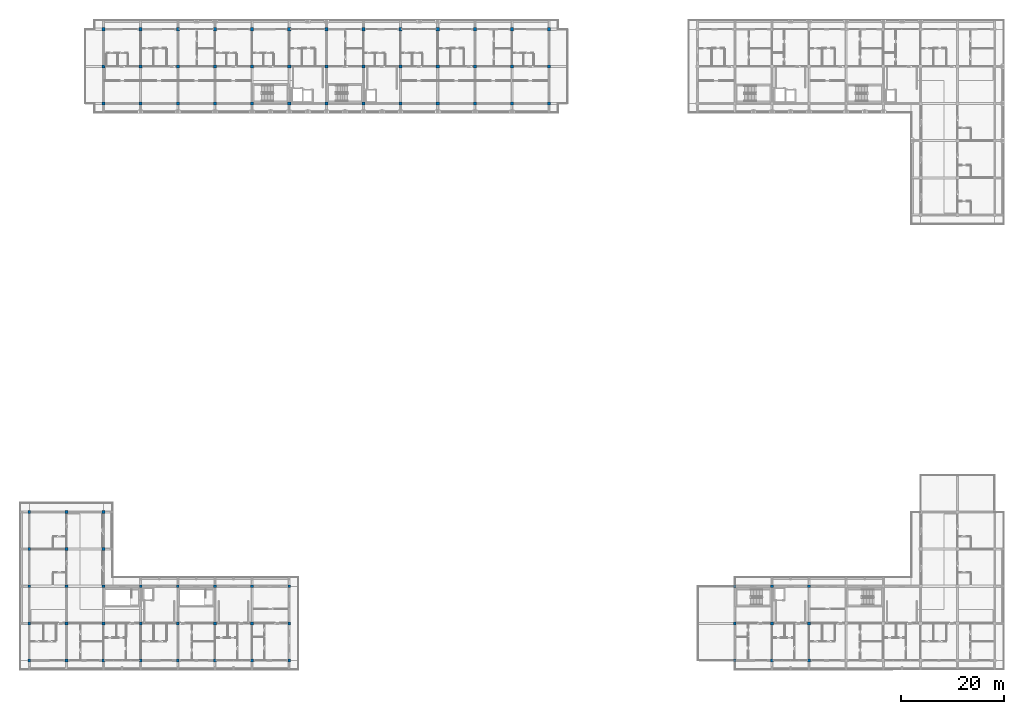
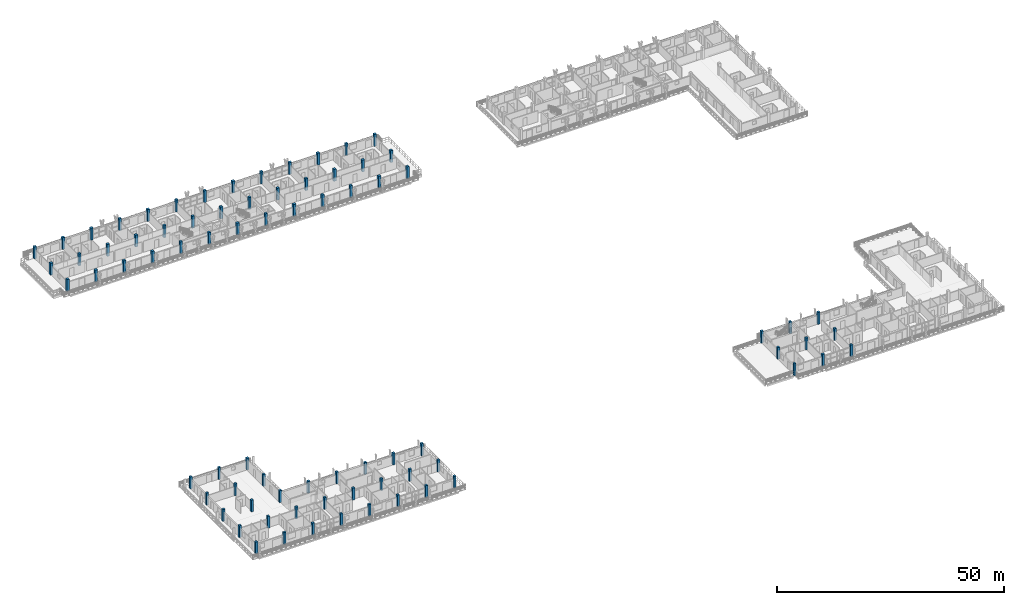
# One storey, part 1 of 65: 78 columns.
"""IFC4 building model written with IfcOpenShell, lengths in metres."""

from ifc_helpers import new_model, si_unit, direction, frame, origin, origin_2d, place, context, subcontext, project, spatial, rectangle, extrude, material, material_profile, profile_set, type_object, element, save


model = new_model("IFC4")

# Units and contexts
model_context = context("Model", 3, precision=1e-05, world=origin(), true_north=direction((0.0, 1.0)))
body_context = subcontext(model_context, "Body", "Model", "MODEL_VIEW")
ifc_project = project(units=[si_unit("LENGTHUNIT", "METRE"), si_unit("AREAUNIT", "SQUARE_METRE"), si_unit("VOLUMEUNIT", "CUBIC_METRE"), si_unit("PLANEANGLEUNIT", "RADIAN"), si_unit("MASSUNIT", "GRAM", prefix="KILO")], contexts=[model_context])

# Site, building, storey
site_placement = place(None, origin())
site = spatial("IfcSite", under=ifc_project, at=site_placement, CompositionType="ELEMENT")
building_placement = place(site_placement, origin())
building = spatial("IfcBuilding", under=site, at=building_placement, Name="Suanplinth Sawtooth Commons", CompositionType="ELEMENT")
storey_placement = place(building_placement, frame((0.0, 0.0, 28.300048828125)))
storey = spatial("IfcBuildingStorey", under=building, at=storey_placement, Name="L08", CompositionType="ELEMENT", Elevation=28.300048828125)

# Columns
ifc_material = material(Name="Precast concrete C40/50", Category="concrete")
ifc_material_profile_1 = material_profile(ifc_material, rectangle(XDim=0.60009765625, YDim=0.60009765625, at=origin_2d()), Name="PC-COL 600x600")
ifc_profile_set_1 = profile_set([ifc_material_profile_1], Name="Precast concrete C40/50")
column_type_1 = type_object("IfcColumnType", Name="C-04", PredefinedType="COLUMN", material=ifc_profile_set_1)
for number, where, z_axis, x_axis, name in (
    (1, (14.39990234375, 108.0, 0.0), (0.0, 0.0, 1.0), (1.0, 0.0, 0.0), "Column L08 3/R"),
    (2, (14.39990234375, 115.199951171875, 0.0), (0.0, 0.0, 1.0), (1.0, 0.0, 0.0), "Column L08 3/S"),
    (3, (14.39990234375, 122.39990234375, 0.0), (0.0, 0.0, 1.0), (1.0, 0.0, 0.0), "Column L08 3/T"),
    (4, (21.60009765625, 108.0, 0.0), (0.0, 0.0, 1.0), (1.0, 0.0, 0.0), "Column L08 4/R"),
    (5, (21.60009765625, 115.199951171875, 0.0), (0.0, 0.0, 1.0), (1.0, 0.0, 0.0), "Column L08 4/S"),
    (6, (21.60009765625, 122.39990234375, 0.0), (0.0, 0.0, 1.0), (1.0, 0.0, 0.0), "Column L08 4/T"),
    (7, (28.800048828125, 108.0, 0.0), (0.0, 0.0, 1.0), (1.0, 0.0, 0.0), "Column L08 5/R"),
    (8, (28.800048828125, 115.199951171875, 0.0), (0.0, 0.0, 1.0), (1.0, 0.0, 0.0), "Column L08 5/S"),
    (9, (28.800048828125, 122.39990234375, 0.0), (0.0, 0.0, 1.0), (1.0, 0.0, 0.0), "Column L08 5/T"),
    (10, (36.0, 108.0, 0.0), (0.0, 0.0, 1.0), (1.0, 0.0, 0.0), "Column L08 6/R"),
    (11, (36.0, 115.199951171875, 0.0), (0.0, 0.0, 1.0), (1.0, 0.0, 0.0), "Column L08 6/S"),
    (12, (36.0, 122.39990234375, 0.0), (0.0, 0.0, 1.0), (1.0, 0.0, 0.0), "Column L08 6/T"),
    (13, (43.199951171875, 108.0, 0.0), (0.0, 0.0, 1.0), (1.0, 0.0, 0.0), "Column L08 7/R"),
    (14, (43.199951171875, 115.199951171875, 0.0), (0.0, 0.0, 1.0), (1.0, 0.0, 0.0), "Column L08 7/S"),
    (15, (43.199951171875, 122.39990234375, 0.0), (0.0, 0.0, 1.0), (1.0, 0.0, 0.0), "Column L08 7/T"),
    (16, (50.39990234375, 108.0, 0.0), (0.0, 0.0, 1.0), (1.0, 0.0, 0.0), "Column L08 8/R"),
    (17, (50.39990234375, 115.199951171875, 0.0), (0.0, 0.0, 1.0), (1.0, 0.0, 0.0), "Column L08 8/S"),
    (18, (50.39990234375, 122.39990234375, 0.0), (0.0, 0.0, 1.0), (1.0, 0.0, 0.0), "Column L08 8/T"),
    (19, (57.60009765625, 108.0, 0.0), (0.0, 0.0, 1.0), (1.0, 0.0, 0.0), "Column L08 9/R"),
    (20, (57.60009765625, 115.199951171875, 0.0), (0.0, 0.0, 1.0), (1.0, 0.0, 0.0), "Column L08 9/S"),
    (21, (57.60009765625, 122.39990234375, 0.0), (0.0, 0.0, 1.0), (1.0, 0.0, 0.0), "Column L08 9/T"),
    (22, (64.800048828125, 108.0, 0.0), (0.0, 0.0, 1.0), (1.0, 0.0, 0.0), "Column L08 10/R"),
    (23, (64.800048828125, 115.199951171875, 0.0), (0.0, 0.0, 1.0), (1.0, 0.0, 0.0), "Column L08 10/S"),
    (24, (64.800048828125, 122.39990234375, 0.0), (0.0, 0.0, 1.0), (1.0, 0.0, 0.0), "Column L08 10/T"),
    (25, (72.0, 108.0, 0.0), (0.0, 0.0, 1.0), (1.0, 0.0, 0.0), "Column L08 11/R"),
    (26, (72.0, 115.199951171875, 0.0), (0.0, 0.0, 1.0), (1.0, 0.0, 0.0), "Column L08 11/S"),
    (27, (72.0, 122.39990234375, 0.0), (0.0, 0.0, 1.0), (1.0, 0.0, 0.0), "Column L08 11/T"),
    (28, (79.199951171875, 108.0, 0.0), (0.0, 0.0, 1.0), (1.0, 0.0, 0.0), "Column L08 12/R"),
    (29, (79.199951171875, 115.199951171875, 0.0), (0.0, 0.0, 1.0), (1.0, 0.0, 0.0), "Column L08 12/S"),
    (30, (79.199951171875, 122.39990234375, 0.0), (0.0, 0.0, 1.0), (1.0, 0.0, 0.0), "Column L08 12/T"),
    (31, (86.39990234375, 108.0, 0.0), (0.0, 0.0, 1.0), (1.0, 0.0, 0.0), "Column L08 13/R"),
    (32, (86.39990234375, 115.199951171875, 0.0), (0.0, 0.0, 1.0), (1.0, 0.0, 0.0), "Column L08 13/S"),
    (33, (86.39990234375, 122.39990234375, 0.0), (0.0, 0.0, 1.0), (1.0, 0.0, 0.0), "Column L08 13/T"),
    (34, (93.60009765625, 108.0, 0.0), (0.0, 0.0, 1.0), (1.0, 0.0, 0.0), "Column L08 14/R"),
    (35, (93.60009765625, 115.199951171875, 0.0), (0.0, 0.0, 1.0), (1.0, 0.0, 0.0), "Column L08 14/S"),
    (36, (93.60009765625, 122.39990234375, 0.0), (0.0, 0.0, 1.0), (1.0, 0.0, 0.0), "Column L08 14/T"),
    (37, (100.800048828125, 108.0, 0.0), (0.0, 0.0, 1.0), (1.0, 0.0, 0.0), "Column L08 15/R"),
    (38, (100.800048828125, 115.199951171875, 0.0), (0.0, 0.0, 1.0), (1.0, 0.0, 0.0), "Column L08 15/S"),
    (39, (100.800048828125, 122.39990234375, 0.0), (0.0, 0.0, 1.0), (1.0, 0.0, 0.0), "Column L08 15/T"),
):
    element("IfcColumn", number, at=place(storey_placement, frame(where, z_axis=z_axis, x_axis=x_axis)), inside=storey, type_object=column_type_1, Name=name, PredefinedType="COLUMN", context=body_context, shape_type="SweptSolid", body=[
        extrude(rectangle(XDim=0.60009765625, YDim=0.60009765625, at=origin_2d()), origin(), (0.0, 0.0, 1.0), 3.199951171875),
    ])
ifc_material_profile_2 = material_profile(ifc_material, rectangle(XDim=0.550048828125, YDim=0.550048828125, at=origin_2d()), Name="PC-COL 550x550")
ifc_profile_set_2 = profile_set([ifc_material_profile_2], Name="Precast concrete C40/50")
column_type_2 = type_object("IfcColumnType", Name="C-05", PredefinedType="COLUMN", material=ifc_profile_set_2)
for number, where, z_axis, x_axis, name in (
    (40, (0.0, 0.0, 0.0), (0.0, 0.0, 1.0), (1.0, 0.0, 0.0), "Column L08 1/A"),
    (41, (0.0, 7.199951171875, 0.0), (0.0, 0.0, 1.0), (1.0, 0.0, 0.0), "Column L08 1/B"),
    (42, (0.0, 14.39990234375, 0.0), (0.0, 0.0, 1.0), (1.0, 0.0, 0.0), "Column L08 1/C"),
    (43, (0.0, 21.60009765625, 0.0), (0.0, 0.0, 1.0), (1.0, 0.0, 0.0), "Column L08 1/D"),
    (44, (0.0, 28.800048828125, 0.0), (0.0, 0.0, 1.0), (1.0, 0.0, 0.0), "Column L08 1/E"),
    (45, (7.199951171875, 0.0, 0.0), (0.0, 0.0, 1.0), (1.0, 0.0, 0.0), "Column L08 2/A"),
    (46, (7.199951171875, 7.199951171875, 0.0), (0.0, 0.0, 1.0), (1.0, 0.0, 0.0), "Column L08 2/B"),
    (47, (7.199951171875, 14.39990234375, 0.0), (0.0, 0.0, 1.0), (1.0, 0.0, 0.0), "Column L08 2/C"),
    (48, (7.199951171875, 21.60009765625, 0.0), (0.0, 0.0, 1.0), (1.0, 0.0, 0.0), "Column L08 2/D"),
    (49, (7.199951171875, 28.800048828125, 0.0), (0.0, 0.0, 1.0), (1.0, 0.0, 0.0), "Column L08 2/E"),
    (50, (14.39990234375, 0.0, 0.0), (0.0, 0.0, 1.0), (1.0, 0.0, 0.0), "Column L08 3/A"),
    (51, (14.39990234375, 7.199951171875, 0.0), (0.0, 0.0, 1.0), (1.0, 0.0, 0.0), "Column L08 3/B"),
    (52, (14.39990234375, 14.39990234375, 0.0), (0.0, 0.0, 1.0), (1.0, 0.0, 0.0), "Column L08 3/C"),
    (53, (14.39990234375, 21.60009765625, 0.0), (0.0, 0.0, 1.0), (1.0, 0.0, 0.0), "Column L08 3/D"),
    (54, (14.39990234375, 28.800048828125, 0.0), (0.0, 0.0, 1.0), (1.0, 0.0, 0.0), "Column L08 3/E"),
    (55, (21.60009765625, 0.0, 0.0), (0.0, 0.0, 1.0), (1.0, 0.0, 0.0), "Column L08 4/A"),
    (56, (21.60009765625, 7.199951171875, 0.0), (0.0, 0.0, 1.0), (1.0, 0.0, 0.0), "Column L08 4/B"),
    (57, (21.60009765625, 14.39990234375, 0.0), (0.0, 0.0, 1.0), (1.0, 0.0, 0.0), "Column L08 4/C"),
    (58, (28.800048828125, 0.0, 0.0), (0.0, 0.0, 1.0), (1.0, 0.0, 0.0), "Column L08 5/A"),
    (59, (28.800048828125, 7.199951171875, 0.0), (0.0, 0.0, 1.0), (1.0, 0.0, 0.0), "Column L08 5/B"),
    (60, (28.800048828125, 14.39990234375, 0.0), (0.0, 0.0, 1.0), (1.0, 0.0, 0.0), "Column L08 5/C"),
    (61, (36.0, 0.0, 0.0), (0.0, 0.0, 1.0), (1.0, 0.0, 0.0), "Column L08 6/A"),
    (62, (36.0, 7.199951171875, 0.0), (0.0, 0.0, 1.0), (1.0, 0.0, 0.0), "Column L08 6/B"),
    (63, (36.0, 14.39990234375, 0.0), (0.0, 0.0, 1.0), (1.0, 0.0, 0.0), "Column L08 6/C"),
    (64, (43.199951171875, 0.0, 0.0), (0.0, 0.0, 1.0), (1.0, 0.0, 0.0), "Column L08 7/A"),
    (65, (43.199951171875, 7.199951171875, 0.0), (0.0, 0.0, 1.0), (1.0, 0.0, 0.0), "Column L08 7/B"),
    (66, (43.199951171875, 14.39990234375, 0.0), (0.0, 0.0, 1.0), (1.0, 0.0, 0.0), "Column L08 7/C"),
    (67, (50.39990234375, 0.0, 0.0), (0.0, 0.0, 1.0), (1.0, 0.0, 0.0), "Column L08 8/A"),
    (68, (50.39990234375, 7.199951171875, 0.0), (0.0, 0.0, 1.0), (1.0, 0.0, 0.0), "Column L08 8/B"),
    (69, (50.39990234375, 14.39990234375, 0.0), (0.0, 0.0, 1.0), (1.0, 0.0, 0.0), "Column L08 8/C"),
    (70, (136.800048828125, 0.0, 0.0), (0.0, 0.0, 1.0), (1.0, 0.0, 0.0), "Column L08 20/A"),
    (71, (136.800048828125, 7.199951171875, 0.0), (0.0, 0.0, 1.0), (1.0, 0.0, 0.0), "Column L08 20/B"),
    (72, (136.800048828125, 14.39990234375, 0.0), (0.0, 0.0, 1.0), (1.0, 0.0, 0.0), "Column L08 20/C"),
    (73, (144.0, 0.0, 0.0), (0.0, 0.0, 1.0), (1.0, 0.0, 0.0), "Column L08 21/A"),
    (74, (144.0, 7.199951171875, 0.0), (0.0, 0.0, 1.0), (1.0, 0.0, 0.0), "Column L08 21/B"),
    (75, (144.0, 14.39990234375, 0.0), (0.0, 0.0, 1.0), (1.0, 0.0, 0.0), "Column L08 21/C"),
    (76, (151.199951171875, 0.0, 0.0), (0.0, 0.0, 1.0), (1.0, 0.0, 0.0), "Column L08 22/A"),
    (77, (151.199951171875, 7.199951171875, 0.0), (0.0, 0.0, 1.0), (1.0, 0.0, 0.0), "Column L08 22/B"),
    (78, (151.199951171875, 14.39990234375, 0.0), (0.0, 0.0, 1.0), (1.0, 0.0, 0.0), "Column L08 22/C"),
):
    element("IfcColumn", number, at=place(storey_placement, frame(where, z_axis=z_axis, x_axis=x_axis)), inside=storey, type_object=column_type_2, Name=name, PredefinedType="COLUMN", context=body_context, shape_type="SweptSolid", body=[
        extrude(rectangle(XDim=0.550048828125, YDim=0.550048828125, at=origin_2d()), origin(), (0.0, 0.0, 1.0), 3.199951171875),
    ])

save(model, "model.ifc")
